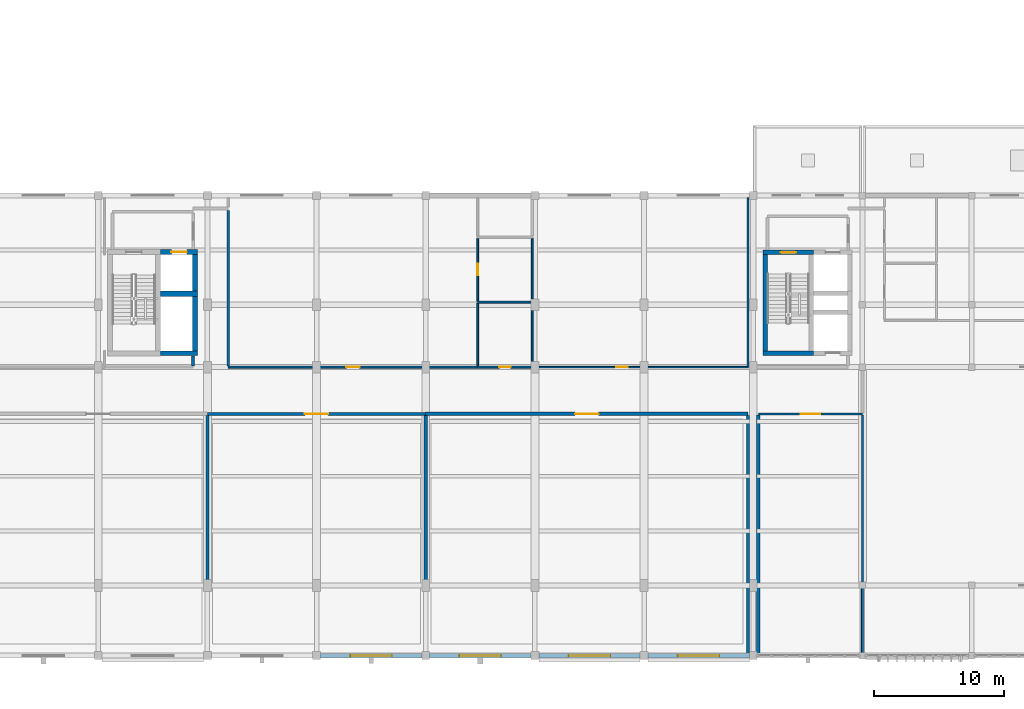
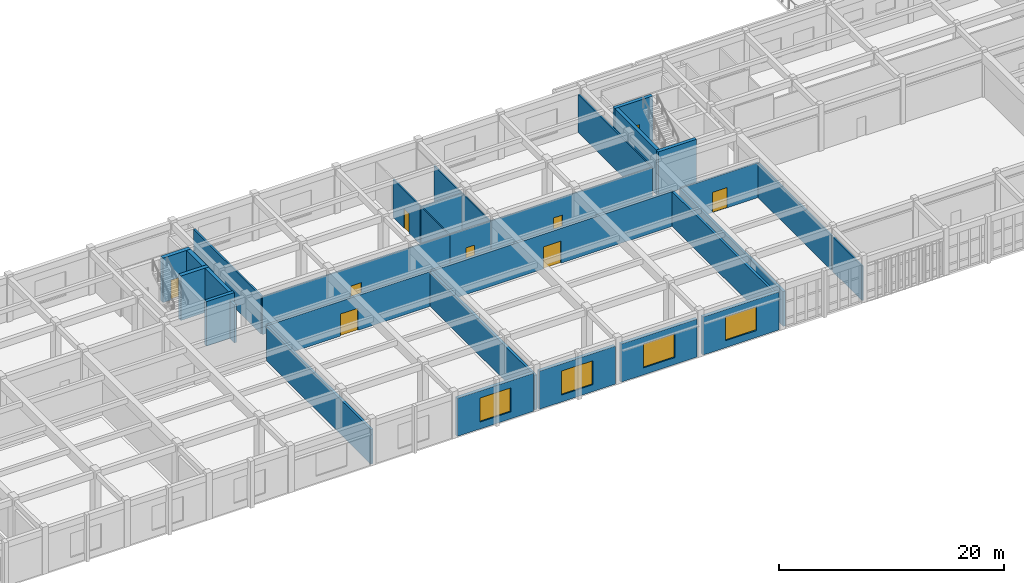
# One storey, part 74 of 93: 32 walls, 9 doors, 4 windows, 13 openings.
"""IFC4 building model written with IfcOpenShell, lengths in metres."""

from ifc_helpers import new_model, si_unit, direction, frame, frame_2d, origin, place, context, subcontext, project, spatial, rectangle, extrude, material, layer, layer_set, type_object, element, fill, save


model = new_model("IFC4")

# Units and contexts
model_context = context("Model", 3, precision=1e-05, world=origin(), true_north=direction((0.0, 1.0)))
body_context = subcontext(model_context, "Body", "Model", "MODEL_VIEW")
ifc_project = project(units=[si_unit("LENGTHUNIT", "METRE"), si_unit("AREAUNIT", "SQUARE_METRE"), si_unit("VOLUMEUNIT", "CUBIC_METRE"), si_unit("PLANEANGLEUNIT", "RADIAN"), si_unit("MASSUNIT", "GRAM", prefix="KILO")], contexts=[model_context])

# Site, building, storey
site_placement = place(None, origin())
site = spatial("IfcSite", under=ifc_project, at=site_placement, CompositionType="ELEMENT")
building_placement = place(site_placement, origin())
building = spatial("IfcBuilding", under=site, at=building_placement, Name="Krzemoval Escarpment Law Courts", CompositionType="ELEMENT")
storey_placement = place(building_placement, frame((0.0, 0.0, 10.199951171875)))
storey = spatial("IfcBuildingStorey", under=building, at=storey_placement, Name="L02", CompositionType="ELEMENT", Elevation=10.199951171875)

# Wall, opening, window
ifc_material_1 = material(Name="Precast concrete C40/50", Category="concrete")
ifc_layer_1 = layer(ifc_material_1, 0.340087890625)
ifc_layer_set_1 = layer_set([ifc_layer_1], Name="Precast concrete C40/50")
wall_type_1 = type_object("IfcWallType", Name="WL-EXT-340", PredefinedType="SOLIDWALL", material=ifc_layer_set_1)
wall_1_placement = place(storey_placement, frame((108.89990234375, 0.0, 0.0), z_axis=(0.0, 0.0, 1.0), x_axis=(-1.0, 0.0, 0.0)))
wall_1 = element("IfcWall", 1, at=wall_1_placement, inside=storey, type_object=wall_type_1, Name="Exterior Wall EW-L02-0293", PredefinedType="SOLIDWALL", context=body_context, shape_type="SweptSolid", body=[
    extrude(rectangle(XDim=7.7998046875, YDim=0.340087890625, at=frame_2d((3.89990234375, 0.0))), origin(), (0.0, 0.0, 1.0), 4.1201171875),
])
opening_1_placement = place(wall_1_placement, frame((2.300048828125, 0.0, 0.75)))
opening_1 = element("IfcOpeningElement", 2, at=opening_1_placement, cuts=wall_1, Name="Opening WN-L02-0316", PredefinedType="OPENING", context=body_context, shape_type="SweptSolid", body=[
    extrude(rectangle(XDim=3.199951171875, YDim=2.60009765625, at=frame_2d((1.60009765625, 1.300048828125))), frame((0.0, 0.18504, 0.0), z_axis=(0.0, -1.0, 0.0), x_axis=(1.0, 0.0, 0.0)), (0.0, 0.0, 1.0), 0.37009),
])
ifc_material_2 = material(Name="Thermally Broken Aluminium Frame with Triple Low-E Acoustic Glass", Category="aluminium")
window_type = type_object("IfcWindowType", Name="WN-3200x2600", PartitioningType="SINGLE_PANEL", PredefinedType="WINDOW", material=ifc_material_2)
window_1_placement = place(opening_1_placement, origin())
window_1 = element("IfcWindow", 3, at=window_1_placement, inside=storey, type_object=window_type, Name="Facade Window WN-L02-0316", OverallHeight=2.60009765625, OverallWidth=3.199951171875, PartitioningType="SINGLE_PANEL", PredefinedType="WINDOW", context=body_context, shape_type="SweptSolid", body=[
    extrude(rectangle(XDim=3.199951171875, YDim=2.60009765625, at=frame_2d((1.60009765625, 1.300048828125))), frame((0.0, 0.030029296875, 0.0), z_axis=(0.0, -1.0, 0.0), x_axis=(1.0, 0.0, 0.0)), (0.0, 0.0, 1.0), 0.06005859375),
])
fill(opening_1, window_1)

wall_2_placement = place(storey_placement, frame((100.5, 0.0, 0.0), z_axis=(0.0, 0.0, 1.0), x_axis=(-1.0, 0.0, 0.0)))
wall_2 = element("IfcWall", 4, at=wall_2_placement, inside=storey, type_object=wall_type_1, Name="Exterior Wall EW-L02-0294", PredefinedType="SOLIDWALL", context=body_context, shape_type="SweptSolid", body=[
    extrude(rectangle(XDim=7.800048828125, YDim=0.340087890625, at=frame_2d((3.89990234375, 0.0))), origin(), (0.0, 0.0, 1.0), 4.1201171875),
])
opening_2_placement = place(wall_2_placement, frame((2.300048828125, 0.0, 0.75)))
opening_2 = element("IfcOpeningElement", 5, at=opening_2_placement, cuts=wall_2, Name="Opening WN-L02-0317", PredefinedType="OPENING", context=body_context, shape_type="SweptSolid", body=[
    extrude(rectangle(XDim=3.199951171875, YDim=2.60009765625, at=frame_2d((1.60009765625, 1.300048828125))), frame((0.0, 0.18504, 0.0), z_axis=(0.0, -1.0, 0.0), x_axis=(1.0, 0.0, 0.0)), (0.0, 0.0, 1.0), 0.37009),
])
window_2_placement = place(opening_2_placement, origin())
window_2 = element("IfcWindow", 6, at=window_2_placement, inside=storey, type_object=window_type, Name="Facade Window WN-L02-0317", OverallHeight=2.60009765625, OverallWidth=3.199951171875, PartitioningType="SINGLE_PANEL", PredefinedType="WINDOW", context=body_context, shape_type="SweptSolid", body=[
    extrude(rectangle(XDim=3.199951171875, YDim=2.60009765625, at=frame_2d((1.60009765625, 1.300048828125))), frame((0.0, 0.030029296875, 0.0), z_axis=(0.0, -1.0, 0.0), x_axis=(1.0, 0.0, 0.0)), (0.0, 0.0, 1.0), 0.06005859375),
])
fill(opening_2, window_2)

wall_3_placement = place(storey_placement, frame((92.10009765625, 0.0, 0.0), z_axis=(0.0, 0.0, 1.0), x_axis=(-1.0, 0.0, 0.0)))
wall_3 = element("IfcWall", 7, at=wall_3_placement, inside=storey, type_object=wall_type_1, Name="Exterior Wall EW-L02-0295", PredefinedType="SOLIDWALL", context=body_context, shape_type="SweptSolid", body=[
    extrude(rectangle(XDim=7.800048828125, YDim=0.340087890625, at=frame_2d((3.89990234375, 0.0))), origin(), (0.0, 0.0, 1.0), 4.1201171875),
])
opening_3_placement = place(wall_3_placement, frame((2.300048828125, 0.0, 0.75)))
opening_3 = element("IfcOpeningElement", 8, at=opening_3_placement, cuts=wall_3, Name="Opening WN-L02-0318", PredefinedType="OPENING", context=body_context, shape_type="SweptSolid", body=[
    extrude(rectangle(XDim=3.199951171875, YDim=2.60009765625, at=frame_2d((1.60009765625, 1.300048828125))), frame((0.0, 0.18504, 0.0), z_axis=(0.0, -1.0, 0.0), x_axis=(1.0, 0.0, 0.0)), (0.0, 0.0, 1.0), 0.37009),
])
window_3_placement = place(opening_3_placement, origin())
window_3 = element("IfcWindow", 9, at=window_3_placement, inside=storey, type_object=window_type, Name="Facade Window WN-L02-0318", OverallHeight=2.60009765625, OverallWidth=3.199951171875, PartitioningType="SINGLE_PANEL", PredefinedType="WINDOW", context=body_context, shape_type="SweptSolid", body=[
    extrude(rectangle(XDim=3.199951171875, YDim=2.60009765625, at=frame_2d((1.60009765625, 1.300048828125))), frame((0.0, 0.030029296875, 0.0), z_axis=(0.0, -1.0, 0.0), x_axis=(1.0, 0.0, 0.0)), (0.0, 0.0, 1.0), 0.06005859375),
])
fill(opening_3, window_3)

wall_4_placement = place(storey_placement, frame((83.699951171875, 0.0, 0.0), z_axis=(0.0, 0.0, 1.0), x_axis=(-1.0, 0.0, 0.0)))
wall_4 = element("IfcWall", 10, at=wall_4_placement, inside=storey, type_object=wall_type_1, Name="Exterior Wall EW-L02-0296", PredefinedType="SOLIDWALL", context=body_context, shape_type="SweptSolid", body=[
    extrude(rectangle(XDim=7.800048828125, YDim=0.340087890625, at=frame_2d((3.89990234375, 0.0))), origin(), (0.0, 0.0, 1.0), 4.1201171875),
])
opening_4_placement = place(wall_4_placement, frame((2.300048828125, 0.0, 0.75)))
opening_4 = element("IfcOpeningElement", 11, at=opening_4_placement, cuts=wall_4, Name="Opening WN-L02-0319", PredefinedType="OPENING", context=body_context, shape_type="SweptSolid", body=[
    extrude(rectangle(XDim=3.199951171875, YDim=2.60009765625, at=frame_2d((1.60009765625, 1.300048828125))), frame((0.0, 0.18504, 0.0), z_axis=(0.0, -1.0, 0.0), x_axis=(1.0, 0.0, 0.0)), (0.0, 0.0, 1.0), 0.37009),
])
window_4_placement = place(opening_4_placement, origin())
window_4 = element("IfcWindow", 12, at=window_4_placement, inside=storey, type_object=window_type, Name="Facade Window WN-L02-0319", OverallHeight=2.60009765625, OverallWidth=3.199951171875, PartitioningType="SINGLE_PANEL", PredefinedType="WINDOW", context=body_context, shape_type="SweptSolid", body=[
    extrude(rectangle(XDim=3.199951171875, YDim=2.60009765625, at=frame_2d((1.60009765625, 1.300048828125))), frame((0.0, 0.030029296875, 0.0), z_axis=(0.0, -1.0, 0.0), x_axis=(1.0, 0.0, 0.0)), (0.0, 0.0, 1.0), 0.06005859375),
])
fill(opening_4, window_4)

# Wall, opening, door
ifc_material_3 = material(Name="Light Internal Subdivision Partition", Category="gypsum")
ifc_layer_2 = layer(ifc_material_3, 0.114990234375)
ifc_layer_set_2 = layer_set([ifc_layer_2], Name="Light Internal Subdivision Partition")
wall_type_2 = type_object("IfcWallType", Name="WL-PRT-115", PredefinedType="PARTITIONING", material=ifc_layer_set_2)
wall_5_placement = place(storey_placement, frame((92.199951171875, 22.199951171875, 0.0), z_axis=(0.0, 0.0, 1.0), x_axis=(1.0, 0.0, 0.0)))
wall_5 = element("IfcWall", 13, at=wall_5_placement, inside=storey, type_object=wall_type_2, Name="Interior Partition PW-L02-0375", PredefinedType="PARTITIONING", context=body_context, shape_type="SweptSolid", body=[
    extrude(rectangle(XDim=16.60009765625, YDim=0.114990234375, at=frame_2d((8.300048828125, 0.0))), origin(), (0.0, 0.0, 1.0), 4.1201171875),
])
opening_5_placement = place(wall_5_placement, frame((6.449951171875, 0.0, 0.0)))
opening_5 = element("IfcOpeningElement", 14, at=opening_5_placement, cuts=wall_5, Name="Opening D-L02-0148", PredefinedType="OPENING", context=body_context, shape_type="SweptSolid", body=[
    extrude(rectangle(XDim=0.89990234375, YDim=2.199951171875, at=frame_2d((0.449951171875, 1.10009765625))), frame((0.0, 0.0725, 0.0), z_axis=(0.0, -1.0, 0.0), x_axis=(1.0, 0.0, 0.0)), (0.0, 0.0, 1.0), 0.14499),
])
ifc_material_4 = material(Name="Engineered Solid-Core Oak Acoustic Timber", Category="wood")
door_type_1 = type_object("IfcDoorType", Name="DR-INT-900x2200", OperationType="SINGLE_SWING_LEFT", PredefinedType="DOOR", material=ifc_material_4)
door_1_placement = place(opening_5_placement, origin())
door_1 = element("IfcDoor", 15, at=door_1_placement, inside=storey, type_object=door_type_1, Name="Room Door D-L02-0148", OperationType="SINGLE_SWING_RIGHT", OverallHeight=2.199951171875, OverallWidth=0.89990234375, PredefinedType="DOOR", context=body_context, shape_type="SweptSolid", body=[
    extrude(rectangle(XDim=0.89990234375, YDim=2.199951171875, at=frame_2d((0.449951171875, 1.10009765625))), frame((0.0, 0.02490234375, 0.0), z_axis=(0.0, -1.0, 0.0), x_axis=(1.0, 0.0, 0.0)), (0.0, 0.0, 1.0), 0.050048828125),
])
fill(opening_5, door_1)

ifc_material_5 = material(Name="Sanitary Moisture-Resistant Partition", Category="gypsum")
ifc_layer_3 = layer(ifc_material_5, 0.139892578125)
ifc_layer_set_3 = layer_set([ifc_layer_3], Name="Sanitary Moisture-Resistant Partition")
wall_type_3 = type_object("IfcWallType", Name="WL-PRT-140", PredefinedType="PARTITIONING", material=ifc_layer_set_3)
wall_6_placement = place(storey_placement, frame((68.800048828125, 22.199951171875, 0.0), z_axis=(0.0, 0.0, 1.0), x_axis=(1.0, 0.0, 0.0)))
wall_6 = element("IfcWall", 16, at=wall_6_placement, inside=storey, type_object=wall_type_3, Name="Interior Partition PW-L02-0373", PredefinedType="PARTITIONING", context=body_context, shape_type="SweptSolid", body=[
    extrude(rectangle(XDim=19.199951171875, YDim=0.139892578125, at=frame_2d((9.60009765625, 0.0))), origin(), (0.0, 0.0, 1.0), 4.1201171875),
])
opening_6_placement = place(wall_6_placement, frame((9.074951171875, 0.0, 0.0)))
opening_6 = element("IfcOpeningElement", 17, at=opening_6_placement, cuts=wall_6, Name="Opening D-L02-0145", PredefinedType="OPENING", context=body_context, shape_type="SweptSolid", body=[
    extrude(rectangle(XDim=1.050048828125, YDim=2.10009765625, at=frame_2d((0.52490234375, 1.050048828125))), frame((0.0, 0.08495, 0.0), z_axis=(0.0, -1.0, 0.0), x_axis=(1.0, 0.0, 0.0)), (0.0, 0.0, 1.0), 0.16989),
])
ifc_material_6 = material(Name="Engineered Solid-Core Oak Acoustic Timber", Category="wood")
door_type_2 = type_object("IfcDoorType", Name="DR-INT-1050x2100", OperationType="SINGLE_SWING_LEFT", PredefinedType="DOOR", material=ifc_material_6)
door_2_placement = place(opening_6_placement, origin())
door_2 = element("IfcDoor", 18, at=door_2_placement, inside=storey, type_object=door_type_2, Name="Room Door D-L02-0145", OperationType="SINGLE_SWING_LEFT", OverallHeight=2.10009765625, OverallWidth=1.050048828125, PredefinedType="DOOR", context=body_context, shape_type="SweptSolid", body=[
    extrude(rectangle(XDim=1.050048828125, YDim=2.10009765625, at=frame_2d((0.52490234375, 1.050048828125))), frame((0.0, 0.02490234375, 0.0), z_axis=(0.0, -1.0, 0.0), x_axis=(1.0, 0.0, 0.0)), (0.0, 0.0, 1.0), 0.050048828125),
])
fill(opening_6, door_2)

wall_7_placement = place(storey_placement, frame((88.0, 22.199951171875, 0.0), z_axis=(0.0, 0.0, 1.0), x_axis=(1.0, 0.0, 0.0)))
wall_7 = element("IfcWall", 19, at=wall_7_placement, inside=storey, type_object=wall_type_3, Name="Interior Partition PW-L02-0374", PredefinedType="PARTITIONING", context=body_context, shape_type="SweptSolid", body=[
    extrude(rectangle(XDim=4.199951171875, YDim=0.139892578125, at=frame_2d((2.10009765625, 0.0))), origin(), (0.0, 0.0, 1.0), 4.1201171875),
])
opening_7_placement = place(wall_7_placement, frame((1.64990234375, 0.0, 0.0)))
opening_7 = element("IfcOpeningElement", 20, at=opening_7_placement, cuts=wall_7, Name="Opening D-L02-0146", PredefinedType="OPENING", context=body_context, shape_type="SweptSolid", body=[
    extrude(rectangle(XDim=0.89990234375, YDim=2.10009765625, at=frame_2d((0.449951171875, 1.050048828125))), frame((0.0, 0.08495, 0.0), z_axis=(0.0, -1.0, 0.0), x_axis=(1.0, 0.0, 0.0)), (0.0, 0.0, 1.0), 0.16989),
])
ifc_material_7 = material(Name="Engineered Solid-Core Oak Acoustic Timber", Category="wood")
door_type_3 = type_object("IfcDoorType", Name="DR-INT-900x2100", OperationType="SINGLE_SWING_LEFT", PredefinedType="DOOR", material=ifc_material_7)
door_3_placement = place(opening_7_placement, origin())
door_3 = element("IfcDoor", 21, at=door_3_placement, inside=storey, type_object=door_type_3, Name="Room Door D-L02-0146", OperationType="SINGLE_SWING_RIGHT", OverallHeight=2.10009765625, OverallWidth=0.89990234375, PredefinedType="DOOR", context=body_context, shape_type="SweptSolid", body=[
    extrude(rectangle(XDim=0.89990234375, YDim=2.10009765625, at=frame_2d((0.449951171875, 1.050048828125))), frame((0.0, 0.02490234375, 0.0), z_axis=(0.0, -1.0, 0.0), x_axis=(1.0, 0.0, 0.0)), (0.0, 0.0, 1.0), 0.050048828125),
])
fill(opening_7, door_3)

# Walls
wall_8_placement = place(storey_placement, frame((88.0, 27.199951171875, 0.0), z_axis=(0.0, 0.0, 1.0), x_axis=(1.0, 0.0, 0.0)))
element("IfcWall", 22, at=wall_8_placement, inside=storey, type_object=wall_type_3, Name="Interior Partition PW-L02-0383", PredefinedType="PARTITIONING", context=body_context, shape_type="SweptSolid", body=[
    extrude(rectangle(XDim=4.199951171875, YDim=0.139892578125, at=frame_2d((2.10009765625, 0.0))), origin(), (0.0, 0.0, 1.0), 4.1201171875),
])
wall_9_placement = place(storey_placement, frame((88.0, 22.27197265625, 0.0), z_axis=(0.0, 0.0, 1.0), x_axis=(0.0, 1.0, 0.0)))
element("IfcWall", 23, at=wall_9_placement, inside=storey, type_object=wall_type_3, Name="Interior Partition PW-L02-0455", PredefinedType="PARTITIONING", context=body_context, shape_type="SweptSolid", body=[
    extrude(rectangle(XDim=4.85595703125, YDim=0.139892578125, at=frame_2d((2.427978515625, 0.0))), origin(), (0.0, 0.0, 1.0), 4.1201171875),
])

# Wall, opening, door
wall_10_placement = place(storey_placement, frame((88.0, 27.27197265625, 0.0), z_axis=(0.0, 0.0, 1.0), x_axis=(0.0, 1.0, 0.0)))
wall_10 = element("IfcWall", 24, at=wall_10_placement, inside=storey, type_object=wall_type_3, Name="Interior Partition PW-L02-0456", PredefinedType="PARTITIONING", context=body_context, shape_type="SweptSolid", body=[
    extrude(rectangle(XDim=4.85595703125, YDim=0.139892578125, at=frame_2d((2.427978515625, 0.0))), origin(), (0.0, 0.0, 1.0), 4.1201171875),
])
opening_8_placement = place(wall_10_placement, frame((1.97802734375, 0.0, 0.0)))
opening_8 = element("IfcOpeningElement", 25, at=opening_8_placement, cuts=wall_10, Name="Opening D-L02-0147", PredefinedType="OPENING", context=body_context, shape_type="SweptSolid", body=[
    extrude(rectangle(XDim=0.89990234375, YDim=2.10009765625, at=frame_2d((0.449951171875, 1.050048828125))), frame((0.0, 0.08495, 0.0), z_axis=(0.0, -1.0, 0.0), x_axis=(1.0, 0.0, 0.0)), (0.0, 0.0, 1.0), 0.16989),
])
door_4_placement = place(opening_8_placement, origin())
door_4 = element("IfcDoor", 26, at=door_4_placement, inside=storey, type_object=door_type_3, Name="Room Door D-L02-0147", OperationType="SINGLE_SWING_LEFT", OverallHeight=2.10009765625, OverallWidth=0.89990234375, PredefinedType="DOOR", context=body_context, shape_type="SweptSolid", body=[
    extrude(rectangle(XDim=0.89990234375, YDim=2.10009765625, at=frame_2d((0.449951171875, 1.050048828125))), frame((0.0, 0.02490234375, 0.0), z_axis=(0.0, -1.0, 0.0), x_axis=(1.0, 0.0, 0.0)), (0.0, 0.0, 1.0), 0.050048828125),
])
fill(opening_8, door_4)

# Walls
for number, where, z_axis, x_axis, name in (
    (27, (92.199951171875, 22.27197265625, 0.0), (0.0, 0.0, 1.0), (0.0, 1.0, 0.0), "Interior Partition PW-L02-0457"),
    (28, (92.199951171875, 27.27197265625, 0.0), (0.0, 0.0, 1.0), (0.0, 1.0, 0.0), "Interior Partition PW-L02-0458"),
):
    element("IfcWall", number, at=place(storey_placement, frame(where, z_axis=z_axis, x_axis=x_axis)), inside=storey, type_object=wall_type_3, Name=name, PredefinedType="PARTITIONING", context=body_context, shape_type="SweptSolid", body=[
        extrude(rectangle(XDim=4.85595703125, YDim=0.139892578125, at=frame_2d((2.427978515625, 0.0))), origin(), (0.0, 0.0, 1.0), 4.1201171875),
    ])
wall_11_placement = place(storey_placement, frame((108.800048828125, 22.259033203125, 0.0), z_axis=(0.0, 0.0, 1.0), x_axis=(0.0, 1.0, 0.0)))
element("IfcWall", 29, at=wall_11_placement, inside=storey, type_object=wall_type_3, Name="Interior Partition PW-L02-0461", PredefinedType="PARTITIONING", context=body_context, shape_type="SweptSolid", body=[
    extrude(rectangle(XDim=12.968994140625, YDim=0.139892578125, at=frame_2d((6.484375, 0.0))), origin(), (0.0, 0.0, 1.0), 4.1201171875),
])
ifc_material_8 = material(Name="Office Acoustic Partition Wall", Category="gypsum")
ifc_layer_4 = layer(ifc_material_8, 0.14990234375)
ifc_layer_set_4 = layer_set([ifc_layer_4], Name="Office Acoustic Partition Wall")
wall_type_4 = type_object("IfcWallType", Name="WL-PRT-150", PredefinedType="PARTITIONING", material=ifc_layer_set_4)
wall_12_placement = place(storey_placement, frame((117.60009765625, 0.055908203125, 0.0), z_axis=(0.0, 0.0, 1.0), x_axis=(0.0, 1.0, 0.0)))
element("IfcWall", 30, at=wall_12_placement, inside=storey, type_object=wall_type_4, Name="Interior Partition PW-L02-0468", PredefinedType="PARTITIONING", context=body_context, shape_type="SweptSolid", body=[
    extrude(rectangle(XDim=5.2421875, YDim=0.14990234375, at=frame_2d((2.62109375, 0.0))), origin(), (0.0, 0.0, 1.0), 3.77001953125),
])

# Wall, opening, door
ifc_material_9 = material(Name="Jury Suite Partition Assembly", Category="gypsum")
ifc_layer_5 = layer(ifc_material_9, 0.159912109375)
ifc_layer_set_5 = layer_set([ifc_layer_5], Name="Jury Suite Partition Assembly")
wall_type_5 = type_object("IfcWallType", Name="WL-PRT-160", PredefinedType="PARTITIONING", material=ifc_layer_set_5)
wall_13_placement = place(storey_placement, frame((109.60009765625, 18.60009765625, 0.0), z_axis=(0.0, 0.0, 1.0), x_axis=(1.0, 0.0, 0.0)))
wall_13 = element("IfcWall", 31, at=wall_13_placement, inside=storey, type_object=wall_type_5, Name="Interior Partition PW-L02-0370", PredefinedType="PARTITIONING", context=body_context, shape_type="SweptSolid", body=[
    extrude(rectangle(XDim=8.0, YDim=0.159912109375, at=frame_2d((4.0, 0.0))), origin(), (0.0, 0.0, 1.0), 3.77001953125),
])
opening_9_placement = place(wall_13_placement, frame((3.25, 0.0, 0.0)))
opening_9 = element("IfcOpeningElement", 32, at=opening_9_placement, cuts=wall_13, Name="Opening D-L02-0149", PredefinedType="OPENING", context=body_context, shape_type="SweptSolid", body=[
    extrude(rectangle(XDim=1.5, YDim=2.199951171875, at=frame_2d((0.75, 1.10009765625))), frame((0.0, 0.09496, 0.0), z_axis=(0.0, -1.0, 0.0), x_axis=(1.0, 0.0, 0.0)), (0.0, 0.0, 1.0), 0.18991),
])
ifc_material_10 = material(Name="Engineered Solid-Core Oak Acoustic Timber", Category="wood")
door_type_4 = type_object("IfcDoorType", Name="DR-INT-1500x2200", OperationType="SINGLE_SWING_LEFT", PredefinedType="DOOR", material=ifc_material_10)
door_5_placement = place(opening_9_placement, origin())
door_5 = element("IfcDoor", 33, at=door_5_placement, inside=storey, type_object=door_type_4, Name="Room Door D-L02-0149", OperationType="SINGLE_SWING_LEFT", OverallHeight=2.199951171875, OverallWidth=1.5, PredefinedType="DOOR", context=body_context, shape_type="SweptSolid", body=[
    extrude(rectangle(XDim=1.5, YDim=2.199951171875, at=frame_2d((0.75, 1.10009765625))), frame((0.0, 0.02490234375, 0.0), z_axis=(0.0, -1.0, 0.0), x_axis=(1.0, 0.0, 0.0)), (0.0, 0.0, 1.0), 0.050048828125),
])
fill(opening_9, door_5)

# Walls
wall_14_placement = place(storey_placement, frame((117.60009765625, 5.501953125, 0.0), z_axis=(0.0, 0.0, 1.0), x_axis=(0.0, 1.0, 0.0)))
element("IfcWall", 34, at=wall_14_placement, inside=storey, type_object=wall_type_5, Name="Interior Partition PW-L02-0467", PredefinedType="PARTITIONING", context=body_context, shape_type="SweptSolid", body=[
    extrude(rectangle(XDim=13.01611328125, YDim=0.159912109375, at=frame_2d((6.508056640625, 0.0))), origin(), (0.0, 0.0, 1.0), 3.77001953125),
])
ifc_material_11 = material(Name="Judicial Chambers Acoustic Partition", Category="gypsum")
ifc_layer_6 = layer(ifc_material_11, 0.179931640625)
ifc_layer_set_6 = layer_set([ifc_layer_6], Name="Judicial Chambers Acoustic Partition")
wall_type_6 = type_object("IfcWallType", Name="WL-PRT-180", PredefinedType="PARTITIONING", material=ifc_layer_set_6)
wall_15_placement = place(storey_placement, frame((68.800048828125, 22.27197265625, 0.0), z_axis=(0.0, 0.0, 1.0), x_axis=(0.0, 1.0, 0.0)))
element("IfcWall", 35, at=wall_15_placement, inside=storey, type_object=wall_type_6, Name="Interior Partition PW-L02-0451", PredefinedType="PARTITIONING", context=body_context, shape_type="SweptSolid", body=[
    extrude(rectangle(XDim=11.99609375, YDim=0.179931640625, at=frame_2d((5.998046875, 0.0))), origin(), (0.0, 0.0, 1.0), 4.1201171875),
])
ifc_material_12 = material(Name="Solid Calcium-Silicate Custody Blockwork Partition", Category="masonry")
ifc_layer_7 = layer(ifc_material_12, 0.219970703125)
ifc_layer_set_7 = layer_set([ifc_layer_7], Name="Solid Calcium-Silicate Custody Blockwork Partition")
wall_type_7 = type_object("IfcWallType", Name="WL-PRT-220", PredefinedType="PARTITIONING", material=ifc_layer_set_7)
wall_16_placement = place(storey_placement, frame((66.10009765625, 22.281982421875, 0.0), z_axis=(0.0, 0.0, 1.0), x_axis=(0.0, 1.0, 0.0)))
element("IfcWall", 36, at=wall_16_placement, inside=storey, type_object=wall_type_7, Name="Interior Partition PW-L02-0449", PredefinedType="PARTITIONING", context=body_context, shape_type="SweptSolid", body=[
    extrude(rectangle(XDim=0.791015625, YDim=0.219970703125, at=frame_2d((0.3955078125, 0.0))), origin(), (0.0, 0.0, 1.0), 4.1201171875),
])

# Wall, opening, door
ifc_material_13 = material(Name="Acoustic Courtroom Partition Assembly", Category="gypsum")
ifc_layer_8 = layer(ifc_material_13, 0.239990234375)
ifc_layer_set_8 = layer_set([ifc_layer_8], Name="Acoustic Courtroom Partition Assembly")
wall_type_8 = type_object("IfcWallType", Name="WL-PRT-240", PredefinedType="PARTITIONING", material=ifc_layer_set_8)
wall_17_placement = place(storey_placement, frame((67.199951171875, 18.60009765625, 0.0), z_axis=(0.0, 0.0, 1.0), x_axis=(1.0, 0.0, 0.0)))
wall_17 = element("IfcWall", 37, at=wall_17_placement, inside=storey, type_object=wall_type_8, Name="Interior Partition PW-L02-0368", PredefinedType="PARTITIONING", context=body_context, shape_type="SweptSolid", body=[
    extrude(rectangle(XDim=16.800048828125, YDim=0.239990234375, at=frame_2d((8.39990234375, 0.0))), origin(), (0.0, 0.0, 1.0), 3.77001953125),
])
opening_10_placement = place(wall_17_placement, frame((7.5, 0.0, 0.0)))
opening_10 = element("IfcOpeningElement", 38, at=opening_10_placement, cuts=wall_17, Name="Opening D-L02-0142", PredefinedType="OPENING", context=body_context, shape_type="SweptSolid", body=[
    extrude(rectangle(XDim=1.800048828125, YDim=2.39990234375, at=frame_2d((0.89990234375, 1.199951171875))), frame((0.0, 0.135, 0.0), z_axis=(0.0, -1.0, 0.0), x_axis=(1.0, 0.0, 0.0)), (0.0, 0.0, 1.0), 0.26999),
])
ifc_material_14 = material(Name="Engineered Solid-Core Oak Acoustic Timber", Category="wood")
door_type_5 = type_object("IfcDoorType", Name="DR-CRT-1800x2400", OperationType="SINGLE_SWING_LEFT", PredefinedType="DOOR", material=ifc_material_14)
door_6_placement = place(opening_10_placement, origin())
door_6 = element("IfcDoor", 39, at=door_6_placement, inside=storey, type_object=door_type_5, Name="Room Door D-L02-0142", OperationType="SINGLE_SWING_LEFT", OverallHeight=2.39990234375, OverallWidth=1.800048828125, PredefinedType="DOOR", context=body_context, shape_type="SweptSolid", body=[
    extrude(rectangle(XDim=1.800048828125, YDim=2.39990234375, at=frame_2d((0.89990234375, 1.199951171875))), frame((0.0, 0.02490234375, 0.0), z_axis=(0.0, -1.0, 0.0), x_axis=(1.0, 0.0, 0.0)), (0.0, 0.0, 1.0), 0.050048828125),
])
fill(opening_10, door_6)

# Walls
wall_18_placement = place(storey_placement, frame((67.199951171875, -0.06396484375, 0.0), z_axis=(0.0, 0.0, 1.0), x_axis=(0.0, 1.0, 0.0)))
element("IfcWall", 40, at=wall_18_placement, inside=storey, type_object=wall_type_8, Name="Interior Partition PW-L02-0450", PredefinedType="PARTITIONING", context=body_context, shape_type="SweptSolid", body=[
    extrude(rectangle(XDim=18.531982421875, YDim=0.239990234375, at=frame_2d((9.26611328125, 0.0))), origin(), (0.0, 0.0, 1.0), 3.77001953125),
])
wall_19_placement = place(storey_placement, frame((108.800048828125, 0.172119140625, 0.0), z_axis=(0.0, 0.0, 1.0), x_axis=(0.0, 1.0, 0.0)))
element("IfcWall", 41, at=wall_19_placement, inside=storey, type_object=wall_type_8, Name="Interior Partition PW-L02-0460", PredefinedType="PARTITIONING", context=body_context, shape_type="SweptSolid", body=[
    extrude(rectangle(XDim=18.2958984375, YDim=0.239990234375, at=frame_2d((9.14794921875, 0.0))), origin(), (0.0, 0.0, 1.0), 3.77001953125),
])

# Wall, opening, door
ifc_material_15 = material(Name="Acoustic Double-Stud Gypsum and Mineral Wool Wall", Category="gypsum")
ifc_layer_9 = layer(ifc_material_15, 0.260009765625)
ifc_layer_set_9 = layer_set([ifc_layer_9], Name="Acoustic Double-Stud Gypsum and Mineral Wool Wall")
wall_type_9 = type_object("IfcWallType", Name="WL-PRT-260", PredefinedType="PARTITIONING", material=ifc_layer_set_9)
wall_20_placement = place(storey_placement, frame((84.0, 18.60009765625, 0.0), z_axis=(0.0, 0.0, 1.0), x_axis=(1.0, 0.0, 0.0)))
wall_20 = element("IfcWall", 42, at=wall_20_placement, inside=storey, type_object=wall_type_9, Name="Interior Partition PW-L02-0369", PredefinedType="PARTITIONING", context=body_context, shape_type="SweptSolid", body=[
    extrude(rectangle(XDim=24.800048828125, YDim=0.260009765625, at=frame_2d((12.39990234375, 0.0))), origin(), (0.0, 0.0, 1.0), 3.77001953125),
])
opening_11_placement = place(wall_20_placement, frame((11.5, 0.0, 0.0)))
opening_11 = element("IfcOpeningElement", 43, at=opening_11_placement, cuts=wall_20, Name="Opening D-L02-0143", PredefinedType="OPENING", context=body_context, shape_type="SweptSolid", body=[
    extrude(rectangle(XDim=1.800048828125, YDim=2.39990234375, at=frame_2d((0.89990234375, 1.199951171875))), frame((0.0, 0.145, 0.0), z_axis=(0.0, -1.0, 0.0), x_axis=(1.0, 0.0, 0.0)), (0.0, 0.0, 1.0), 0.29001),
])
door_7_placement = place(opening_11_placement, origin())
door_7 = element("IfcDoor", 44, at=door_7_placement, inside=storey, type_object=door_type_5, Name="Room Door D-L02-0143", OperationType="SINGLE_SWING_LEFT", OverallHeight=2.39990234375, OverallWidth=1.800048828125, PredefinedType="DOOR", context=body_context, shape_type="SweptSolid", body=[
    extrude(rectangle(XDim=1.800048828125, YDim=2.39990234375, at=frame_2d((0.89990234375, 1.199951171875))), frame((0.0, 0.02490234375, 0.0), z_axis=(0.0, -1.0, 0.0), x_axis=(1.0, 0.0, 0.0)), (0.0, 0.0, 1.0), 0.050048828125),
])
fill(opening_11, door_7)

# Walls
wall_21_placement = place(storey_placement, frame((84.0, -0.06396484375, 0.0), z_axis=(0.0, 0.0, 1.0), x_axis=(0.0, 1.0, 0.0)))
element("IfcWall", 45, at=wall_21_placement, inside=storey, type_object=wall_type_9, Name="Interior Partition PW-L02-0453", PredefinedType="PARTITIONING", context=body_context, shape_type="SweptSolid", body=[
    extrude(rectangle(XDim=18.531982421875, YDim=0.260009765625, at=frame_2d((9.26611328125, 0.0))), origin(), (0.0, 0.0, 1.0), 3.77001953125),
])
wall_22_placement = place(storey_placement, frame((109.60009765625, 0.114990234375, 0.0), z_axis=(0.0, 0.0, 1.0), x_axis=(0.0, 1.0, 0.0)))
element("IfcWall", 46, at=wall_22_placement, inside=storey, type_object=wall_type_9, Name="Interior Partition PW-L02-0462", PredefinedType="PARTITIONING", context=body_context, shape_type="SweptSolid", body=[
    extrude(rectangle(XDim=18.403076171875, YDim=0.260009765625, at=frame_2d((9.20166015625, 0.0))), origin(), (0.0, 0.0, 1.0), 3.77001953125),
])
ifc_material_16 = material(Name="Concrete C40/50", Category="concrete")
ifc_layer_10 = layer(ifc_material_16, 0.35009765625)
ifc_layer_set_10 = layer_set([ifc_layer_10], Name="Concrete C40/50")
wall_type_10 = type_object("IfcWallType", Name="WL-SHW-350", PredefinedType="SHEAR", material=ifc_layer_set_10)
wall_23_placement = place(storey_placement, frame((63.60009765625, 23.25, 0.0), z_axis=(0.0, 0.0, 1.0), x_axis=(1.0, 0.0, 0.0)))
element("IfcWall", 47, at=wall_23_placement, inside=storey, type_object=wall_type_10, Name="Riser Shaft Wall SW-L02-0485", PredefinedType="SHEAR", context=body_context, shape_type="SweptSolid", body=[
    extrude(rectangle(XDim=2.849853515625, YDim=0.35009765625, at=frame_2d((1.4248046875, 0.0))), origin(), (0.0, 0.0, 1.0), 4.820068359375),
])
wall_24_placement = place(storey_placement, frame((66.25, 23.419921875, 0.0), z_axis=(0.0, 0.0, 1.0), x_axis=(0.0, 1.0, 0.0)))
element("IfcWall", 48, at=wall_24_placement, inside=storey, type_object=wall_type_10, Name="Riser Shaft Wall SW-L02-0486", PredefinedType="SHEAR", context=body_context, shape_type="SweptSolid", body=[
    extrude(rectangle(XDim=4.636962890625, YDim=0.35009765625, at=frame_2d((2.318359375, 0.0))), origin(), (0.0, 0.0, 1.0), 4.820068359375),
])

# Wall, opening, door
wall_25_placement = place(storey_placement, frame((109.949951171875, 31.02490234375, 0.0), z_axis=(0.0, 0.0, 1.0), x_axis=(1.0, 0.0, 0.0)))
wall_25 = element("IfcWall", 49, at=wall_25_placement, inside=storey, type_object=wall_type_10, Name="Core Stair Shear Wall SW-L02-0573", PredefinedType="SHEAR", context=body_context, shape_type="SweptSolid", body=[
    extrude(rectangle(XDim=3.900146484375, YDim=0.35009765625, at=frame_2d((1.9501953125, 0.0))), origin(), (0.0, 0.0, 1.0), 4.820068359375),
])
opening_12_placement = place(wall_25_placement, frame((1.35009765625, 0.0, 0.0)))
opening_12 = element("IfcOpeningElement", 50, at=opening_12_placement, cuts=wall_25, Name="Opening SD-ST6-L02", PredefinedType="OPENING", context=body_context, shape_type="SweptSolid", body=[
    extrude(rectangle(XDim=1.199951171875, YDim=2.199951171875, at=frame_2d((0.60009765625, 1.10009765625))), frame((0.0, 0.19005, 0.0), z_axis=(0.0, -1.0, 0.0), x_axis=(1.0, 0.0, 0.0)), (0.0, 0.0, 1.0), 0.3801),
])
ifc_material_17 = material(Name="Galvanised Steel S355", Category="steel")
door_type_6 = type_object("IfcDoorType", Name="DR-STR-1200x2200", OperationType="SINGLE_SWING_LEFT", PredefinedType="DOOR", material=ifc_material_17)
door_8_placement = place(opening_12_placement, origin())
door_8 = element("IfcDoor", 51, at=door_8_placement, inside=storey, type_object=door_type_6, Name="Stair Exit Door SD-ST6-L02", OperationType="SINGLE_SWING_LEFT", OverallHeight=2.199951171875, OverallWidth=1.199951171875, PredefinedType="DOOR", context=body_context, shape_type="SweptSolid", body=[
    extrude(rectangle(XDim=1.199951171875, YDim=2.199951171875, at=frame_2d((0.60009765625, 1.10009765625))), frame((0.0, 0.02490234375, 0.0), z_axis=(0.0, -1.0, 0.0), x_axis=(1.0, 0.0, 0.0)), (0.0, 0.0, 1.0), 0.050048828125),
])
fill(opening_12, door_8)

# Walls
wall_26_placement = place(storey_placement, frame((109.949951171875, 23.27490234375, 0.0), z_axis=(0.0, 0.0, 1.0), x_axis=(1.0, 0.0, 0.0)))
element("IfcWall", 52, at=wall_26_placement, inside=storey, type_object=wall_type_10, Name="Core Stair Shear Wall SW-L02-0574", PredefinedType="SHEAR", context=body_context, shape_type="SweptSolid", body=[
    extrude(rectangle(XDim=3.900146484375, YDim=0.35009765625, at=frame_2d((1.9501953125, 0.0))), origin(), (0.0, 0.0, 1.0), 4.820068359375),
])
wall_27_placement = place(storey_placement, frame((110.125, 23.451904296875, 0.0), z_axis=(0.0, 0.0, 1.0), x_axis=(0.0, 1.0, 0.0)))
element("IfcWall", 53, at=wall_27_placement, inside=storey, type_object=wall_type_10, Name="Core Stair Shear Wall SW-L02-0575", PredefinedType="SHEAR", context=body_context, shape_type="SweptSolid", body=[
    extrude(rectangle(XDim=7.39599609375, YDim=0.35009765625, at=frame_2d((3.697998046875, 0.0))), origin(), (0.0, 0.0, 1.0), 4.820068359375),
])
ifc_material_18 = material(Name="Concrete C40/50", Category="concrete")
ifc_layer_11 = layer(ifc_material_18, 0.39990234375)
ifc_layer_set_11 = layer_set([ifc_layer_11], Name="Concrete C40/50")
wall_type_11 = type_object("IfcWallType", Name="WL-SHW-400", PredefinedType="SHEAR", material=ifc_layer_set_11)
wall_28_placement = place(storey_placement, frame((63.60205078125, 27.85009765625, 0.0), z_axis=(0.0, 0.0, 1.0), x_axis=(1.0, 0.0, 0.0)))
element("IfcWall", 54, at=wall_28_placement, inside=storey, type_object=wall_type_11, Name="Lift Shaft Shear Wall SW-L02-0482", PredefinedType="SHEAR", context=body_context, shape_type="SweptSolid", body=[
    extrude(rectangle(XDim=2.847900390625, YDim=0.39990234375, at=frame_2d((1.423828125, 0.0))), origin(), (0.0, 0.0, 1.0), 4.820068359375),
])

# Wall, opening, door
wall_29_placement = place(storey_placement, frame((63.60009765625, 31.050048828125, 0.0), z_axis=(0.0, 0.0, 1.0), x_axis=(1.0, 0.0, 0.0)))
wall_29 = element("IfcWall", 55, at=wall_29_placement, inside=storey, type_object=wall_type_11, Name="Lift Shaft Shear Wall SW-L02-0483", PredefinedType="SHEAR", context=body_context, shape_type="SweptSolid", body=[
    extrude(rectangle(XDim=2.849853515625, YDim=0.39990234375, at=frame_2d((1.4248046875, 0.0))), origin(), (0.0, 0.0, 1.0), 4.820068359375),
])
opening_13_placement = place(wall_29_placement, frame((0.824951171875, 0.0, 0.0)))
opening_13 = element("IfcOpeningElement", 56, at=opening_13_placement, cuts=wall_29, Name="Opening LD-PL3-L02", PredefinedType="OPENING", context=body_context, shape_type="SweptSolid", body=[
    extrude(rectangle(XDim=1.199951171875, YDim=2.14990234375, at=frame_2d((0.60009765625, 1.074951171875))), frame((0.0, 0.21495, 0.0), z_axis=(0.0, -1.0, 0.0), x_axis=(1.0, 0.0, 0.0)), (0.0, 0.0, 1.0), 0.4299),
])
ifc_material_19 = material(Name="Engineered Solid-Core Oak Acoustic Timber", Category="wood")
door_type_7 = type_object("IfcDoorType", Name="DR-LFT-1200x2150", OperationType="SINGLE_SWING_LEFT", PredefinedType="DOOR", material=ifc_material_19)
door_9_placement = place(opening_13_placement, origin())
door_9 = element("IfcDoor", 57, at=door_9_placement, inside=storey, type_object=door_type_7, Name="Lift Landing Door LD-PL3-L02", OperationType="DOUBLE_DOOR_SLIDING", OverallHeight=2.14990234375, OverallWidth=1.199951171875, PredefinedType="DOOR", context=body_context, shape_type="SweptSolid", body=[
    extrude(rectangle(XDim=1.199951171875, YDim=2.14990234375, at=frame_2d((0.60009765625, 1.074951171875))), frame((0.0, 0.02490234375, 0.0), z_axis=(0.0, -1.0, 0.0), x_axis=(1.0, 0.0, 0.0)), (0.0, 0.0, 1.0), 0.050048828125),
])
fill(opening_13, door_9)

# Wall
wall_30_placement = place(storey_placement, frame((66.25, 28.052001953125, 0.0), z_axis=(0.0, 0.0, 1.0), x_axis=(0.0, 1.0, 0.0)))
element("IfcWall", 58, at=wall_30_placement, inside=storey, type_object=wall_type_11, Name="Lift Shaft Shear Wall SW-L02-0484", PredefinedType="SHEAR", context=body_context, shape_type="SweptSolid", body=[
    extrude(rectangle(XDim=2.7958984375, YDim=0.39990234375, at=frame_2d((1.39794921875, 0.0))), origin(), (0.0, 0.0, 1.0), 4.820068359375),
])

save(model, "model.ifc")
